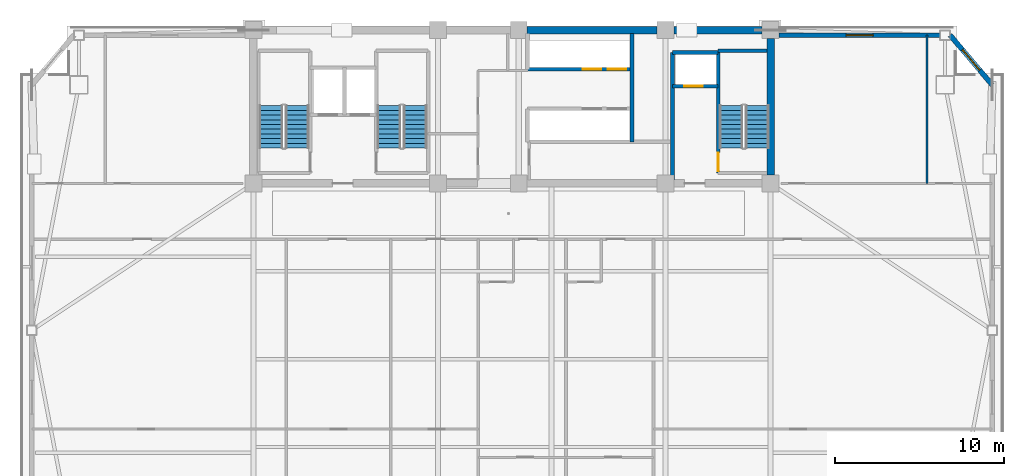
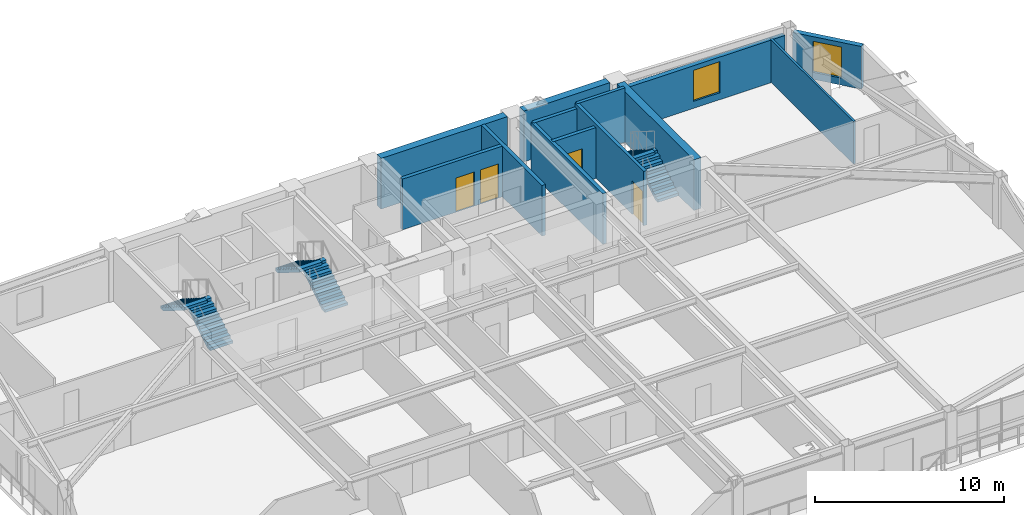
# One storey, part 11 of 17: 13 walls, 6 stair flights, 4 doors, 2 windows, 6 openings, 3 elements without a shape of their own.
"""IFC4 building model written with IfcOpenShell, lengths in metres."""

from ifc_helpers import new_model, si_unit, direction, frame, frame_2d, origin, place, context, subcontext, project, spatial, polyline, rectangle, outline, extrude, source, transform, mapped, material, layer, layer_set, type_object, element, fill, aggregate, save


model = new_model("IFC4")

# Units and contexts
model_context = context("Model", 3, precision=1e-05, world=origin(), true_north=direction((0.0, 1.0)))
body_context = subcontext(model_context, "Body", "Model", "MODEL_VIEW")
ifc_project = project(units=[si_unit("LENGTHUNIT", "METRE"), si_unit("AREAUNIT", "SQUARE_METRE"), si_unit("VOLUMEUNIT", "CUBIC_METRE"), si_unit("PLANEANGLEUNIT", "RADIAN"), si_unit("MASSUNIT", "GRAM", prefix="KILO")], contexts=[model_context])

# Site, building, storey
site_placement = place(None, origin())
site = spatial("IfcSite", under=ifc_project, at=site_placement, CompositionType="ELEMENT")
building_placement = place(site_placement, origin())
building = spatial("IfcBuilding", under=site, at=building_placement, Name="Giltprow Tower", CompositionType="ELEMENT")
storey_placement = place(building_placement, frame((0.0, 0.0, 202.699951171875)))
storey = spatial("IfcBuildingStorey", under=building, at=storey_placement, Name="L51", CompositionType="ELEMENT", Elevation=202.699951171875)

# Wall, opening, window
ifc_material_1 = material(Name="Precast concrete C40", Category="concrete")
ifc_layer_1 = layer(ifc_material_1, 0.300048828125, Name="Precast concrete C40")
ifc_layer_set_1 = layer_set([ifc_layer_1], Name="Precast concrete C40")
wall_type_1 = type_object("IfcWallType", Name="EW-NOTCH-CHAMFER-300", PredefinedType="SOLIDWALL", material=ifc_layer_set_1)
wall_1_placement = place(storey_placement, frame((63.697998046875, 43.300048828125, 0.0), z_axis=(0.0, 0.0, 1.0), x_axis=(-0.646527923623, 0.762890322377, 0.0)))
wall_1 = element("IfcWall", 1, at=wall_1_placement, inside=storey, type_object=wall_type_1, Name="L51 Corner Notch Wall NE", PredefinedType="SOLIDWALL", context=body_context, shape_type="SweptSolid", body=[
    extrude(rectangle(XDim=3.86669921875, YDim=0.300048828125, at=frame_2d((1.933349609375, 0.0))), origin(), (0.0, 0.0, 1.0), 2.75),
])
opening_1_placement = place(wall_1_placement, frame((1.133056640625, 0.0, 0.449951171875)))
opening_1 = element("IfcOpeningElement", 2, at=opening_1_placement, cuts=wall_1, Name="Opening WN17", PredefinedType="OPENING", context=body_context, shape_type="SweptSolid", body=[
    extrude(rectangle(XDim=1.60009765625, YDim=2.0, at=frame_2d((0.800048828125, 1.0))), frame((0.0, 0.159912109375, 0.0), z_axis=(0.0, -1.0, 0.0), x_axis=(1.0, 0.0, 0.0)), (0.0, 0.0, 1.0), 0.320068359375),
])
ifc_material_2 = material(Name="Insulated glass", Category="glass")
window_type = type_object("IfcWindowType", Name="WN-COR-1600x2000", PartitioningType="SINGLE_PANEL", PredefinedType="WINDOW", material=ifc_material_2)
shared_shape_1 = source(origin(), body_context, "Body", "SweptSolid", [
    extrude(rectangle(XDim=1.60009765625, YDim=2.0, at=frame_2d((0.800048828125, 1.0))), frame((0.0, 0.030029296875, 0.0), z_axis=(0.0, -1.0, 0.0), x_axis=(1.0, 0.0, 0.0)), (0.0, 0.0, 1.0), 0.06005859375),
])
window_1_placement = place(opening_1_placement, origin())
window_1 = element("IfcWindow", 3, at=window_1_placement, inside=storey, type_object=window_type, Name="L51 Corner Notch Window NE", OverallHeight=2.0, OverallWidth=1.60009765625, PartitioningType="SINGLE_PANEL", PredefinedType="WINDOW", context=body_context, shape_type="MappedRepresentation", body=[
    mapped(shared_shape_1, transform((0.0, 0.0, 0.0), x_axis=(1.0, 0.0, 0.0), y_axis=(0.0, 1.0, 0.0), z_axis=(0.0, 0.0, 1.0), scale=1.0)),
])
fill(opening_1, window_1)

ifc_layer_2 = layer(ifc_material_1, 0.280029296875, Name="Precast concrete C40")
ifc_layer_set_2 = layer_set([ifc_layer_2], Name="Precast concrete C40")
wall_type_2 = type_object("IfcWallType", Name="EW-TOW-BRONZE-280", PredefinedType="SOLIDWALL", material=ifc_layer_set_2)
wall_2_placement = place(storey_placement, frame((51.050048828125, 46.25, 0.0), z_axis=(0.0, 0.0, 1.0), x_axis=(1.0, 0.0, 0.0)))
wall_2 = element("IfcWall", 4, at=wall_2_placement, inside=storey, type_object=wall_type_2, Name="L51 North-East Wing Wall", PredefinedType="SOLIDWALL", context=body_context, shape_type="SweptSolid", body=[
    extrude(rectangle(XDim=9.5478515625, YDim=0.280029296875, at=frame_2d((4.77392578125, 0.0))), origin(), (0.0, 0.0, 1.0), 2.75),
])
opening_2_placement = place(wall_2_placement, frame((3.97412109375, 0.0, 0.449951171875)))
opening_2 = element("IfcOpeningElement", 5, at=opening_2_placement, cuts=wall_2, Name="Opening WN17", PredefinedType="OPENING", context=body_context, shape_type="SweptSolid", body=[
    extrude(rectangle(XDim=1.60009765625, YDim=2.0, at=frame_2d((0.800048828125, 1.0))), frame((0.0, 0.14990234375, 0.0), z_axis=(0.0, -1.0, 0.0), x_axis=(1.0, 0.0, 0.0)), (0.0, 0.0, 1.0), 0.300048828125),
])
window_2_placement = place(opening_2_placement, origin())
window_2 = element("IfcWindow", 6, at=window_2_placement, inside=storey, type_object=window_type, Name="L51 North-East Window", OverallHeight=2.0, OverallWidth=1.60009765625, PartitioningType="SINGLE_PANEL", PredefinedType="WINDOW", context=body_context, shape_type="MappedRepresentation", body=[
    mapped(shared_shape_1, transform((0.0, 0.0, 0.0), x_axis=(1.0, 0.0, 0.0), y_axis=(0.0, 1.0, 0.0), z_axis=(0.0, 0.0, 1.0), scale=1.0)),
])
fill(opening_2, window_2)

# Wall, opening, door
ifc_material_3 = material(Name="Concrete C40", Category="concrete")
ifc_layer_3 = layer(ifc_material_3, 0.219970703125, Name="Concrete C40")
ifc_layer_set_3 = layer_set([ifc_layer_3], Name="Concrete C40")
wall_type_3 = type_object("IfcWallType", Name="IW-SHAFT-220", PredefinedType="SOLIDWALL", material=ifc_layer_set_3)
wall_3_placement = place(storey_placement, frame((44.719970703125, 43.219970703125, 0.0), z_axis=(0.0, 0.0, 1.0), x_axis=(1.0, 0.0, 0.0)))
wall_3 = element("IfcWall", 7, at=wall_3_placement, inside=storey, type_object=wall_type_3, Name="L51 FFL2 Front Shaft Wall", PredefinedType="SOLIDWALL", context=body_context, shape_type="SweptSolid", body=[
    extrude(rectangle(XDim=2.719970703125, YDim=0.219970703125, at=frame_2d((1.35986328125, 0.0))), origin(), (0.0, 0.0, 1.0), 3.27001953125),
])
opening_3_placement = place(wall_3_placement, frame((0.699951171875, 0.0, 0.0)))
opening_3 = element("IfcOpeningElement", 8, at=opening_3_placement, cuts=wall_3, Name="Opening LD-11", PredefinedType="OPENING", context=body_context, shape_type="SweptSolid", body=[
    extrude(rectangle(XDim=1.10009765625, YDim=2.199951171875, at=frame_2d((0.550048828125, 1.10009765625))), frame((0.0, 0.119873046875, 0.0), z_axis=(0.0, -1.0, 0.0), x_axis=(1.0, 0.0, 0.0)), (0.0, 0.0, 1.0), 0.239990234375),
])
ifc_material_4 = material(Name="Stainless steel", Category="steel")
door_type_1 = type_object("IfcDoorType", Name="DR-LIFT-LD1100", OperationType="SLIDING_TO_LEFT", PredefinedType="DOOR", material=ifc_material_4)
shared_shape_2 = source(origin(), body_context, "Body", "SweptSolid", [
    extrude(rectangle(XDim=1.10009765625, YDim=2.199951171875, at=frame_2d((0.550048828125, 1.10009765625))), frame((0.0, 0.02490234375, 0.0), z_axis=(0.0, -1.0, 0.0), x_axis=(1.0, 0.0, 0.0)), (0.0, 0.0, 1.0), 0.050048828125),
])
door_1_placement = place(opening_3_placement, origin())
door_1 = element("IfcDoor", 9, at=door_1_placement, inside=storey, type_object=door_type_1, Name="L51 FFL2 Landing Door", OperationType="SLIDING_TO_LEFT", OverallHeight=2.199951171875, OverallWidth=1.10009765625, PredefinedType="DOOR", context=body_context, shape_type="MappedRepresentation", body=[
    mapped(shared_shape_2, transform((0.0, 0.0, 0.0), x_axis=(1.0, 0.0, 0.0), y_axis=(0.0, 1.0, 0.0), z_axis=(0.0, 0.0, 1.0), scale=1.0)),
])
fill(opening_3, door_1)

# Walls
wall_4_placement = place(storey_placement, frame((44.719970703125, 45.219970703125, 0.0), z_axis=(0.0, 0.0, 1.0), x_axis=(1.0, 0.0, 0.0)))
element("IfcWall", 10, at=wall_4_placement, inside=storey, type_object=wall_type_3, Name="L51 FFL2 Back Shaft Wall", PredefinedType="SOLIDWALL", context=body_context, shape_type="SweptSolid", body=[
    extrude(rectangle(XDim=2.719970703125, YDim=0.219970703125, at=frame_2d((1.35986328125, 0.0))), origin(), (0.0, 0.0, 1.0), 3.27001953125),
])
wall_5_placement = place(storey_placement, frame((44.719970703125, 37.655029296875, 0.0), z_axis=(0.0, 0.0, 1.0), x_axis=(0.0, 1.0, 0.0)))
element("IfcWall", 11, at=wall_5_placement, inside=storey, type_object=wall_type_3, Name="L51 East Firefighting Lobby West Wall", PredefinedType="SOLIDWALL", context=body_context, shape_type="SweptSolid", body=[
    extrude(rectangle(XDim=7.56494140625, YDim=0.219970703125, at=frame_2d((3.782470703125, 0.0))), origin(), (0.0, 0.0, 1.0), 3.27001953125),
])

# Wall, openings, doors
wall_6_placement = place(storey_placement, frame((36.1201171875, 44.219970703125, 0.0), z_axis=(0.0, 0.0, 1.0), x_axis=(1.0, 0.0, 0.0)))
wall_6 = element("IfcWall", 12, at=wall_6_placement, inside=storey, type_object=wall_type_3, Name="L51 Mid-Rise Lift Shaft Front Wall N", PredefinedType="SOLIDWALL", context=body_context, shape_type="SweptSolid", body=[
    extrude(rectangle(XDim=6.199951171875, YDim=0.219970703125, at=frame_2d((3.10009765625, 0.0))), origin(), (0.0, 0.0, 1.0), 3.27001953125),
])
opening_4_placement = place(wall_6_placement, frame((3.280029296875, 0.0, 0.0)))
opening_4 = element("IfcOpeningElement", 13, at=opening_4_placement, cuts=wall_6, Name="Opening LD-11", PredefinedType="OPENING", context=body_context, shape_type="SweptSolid", body=[
    extrude(rectangle(XDim=1.10009765625, YDim=2.199951171875, at=frame_2d((0.550048828125, 1.10009765625))), frame((0.0, 0.119873046875, 0.0), z_axis=(0.0, -1.0, 0.0), x_axis=(1.0, 0.0, 0.0)), (0.0, 0.0, 1.0), 0.239990234375),
])
opening_5_placement = place(wall_6_placement, frame((4.77001953125, 0.0, 0.0)))
opening_5 = element("IfcOpeningElement", 14, at=opening_5_placement, cuts=wall_6, Name="Opening LD-11", PredefinedType="OPENING", context=body_context, shape_type="SweptSolid", body=[
    extrude(rectangle(XDim=1.10009765625, YDim=2.199951171875, at=frame_2d((0.550048828125, 1.10009765625))), frame((0.0, 0.119873046875, 0.0), z_axis=(0.0, -1.0, 0.0), x_axis=(1.0, 0.0, 0.0)), (0.0, 0.0, 1.0), 0.239990234375),
])
door_2_placement = place(opening_4_placement, origin())
door_2 = element("IfcDoor", 15, at=door_2_placement, inside=storey, type_object=door_type_1, Name="L51 PL-M1 Landing Door", OperationType="SLIDING_TO_LEFT", OverallHeight=2.199951171875, OverallWidth=1.10009765625, PredefinedType="DOOR", context=body_context, shape_type="MappedRepresentation", body=[
    mapped(shared_shape_2, transform((0.0, 0.0, 0.0), x_axis=(1.0, 0.0, 0.0), y_axis=(0.0, 1.0, 0.0), z_axis=(0.0, 0.0, 1.0), scale=1.0)),
])
fill(opening_4, door_2)
door_3_placement = place(opening_5_placement, origin())
door_3 = element("IfcDoor", 16, at=door_3_placement, inside=storey, type_object=door_type_1, Name="L51 PL-M2 Landing Door", OperationType="SLIDING_TO_LEFT", OverallHeight=2.199951171875, OverallWidth=1.10009765625, PredefinedType="DOOR", context=body_context, shape_type="MappedRepresentation", body=[
    mapped(shared_shape_2, transform((0.0, 0.0, 0.0), x_axis=(1.0, 0.0, 0.0), y_axis=(0.0, 1.0, 0.0), z_axis=(0.0, 0.0, 1.0), scale=1.0)),
])
fill(opening_5, door_3)

# Wall
wall_7_placement = place(storey_placement, frame((42.320068359375, 39.919921875, 0.0), z_axis=(0.0, 0.0, 1.0), x_axis=(0.0, 1.0, 0.0)))
element("IfcWall", 17, at=wall_7_placement, inside=storey, type_object=wall_type_3, Name="L51 Mid-Rise Lift Bank East Closure", PredefinedType="SOLIDWALL", context=body_context, shape_type="SweptSolid", body=[
    extrude(rectangle(XDim=6.425048828125, YDim=0.219970703125, at=frame_2d((3.21240234375, 0.0))), origin(), (0.0, 0.0, 1.0), 3.27001953125),
])

# Wall, opening, door
ifc_layer_4 = layer(ifc_material_3, 0.199951171875, Name="Concrete C40")
ifc_layer_set_4 = layer_set([ifc_layer_4], Name="Concrete C40")
wall_type_4 = type_object("IfcWallType", Name="IW-STAIR-200", PredefinedType="SOLIDWALL", material=ifc_layer_set_4)
wall_8_placement = place(storey_placement, frame((47.43994140625, 38.070068359375, 0.0), z_axis=(0.0, 0.0, 1.0), x_axis=(0.0, 1.0, 0.0)))
wall_8 = element("IfcWall", 18, at=wall_8_placement, inside=storey, type_object=wall_type_4, Name="L51 Stair ST-3 West Bearing Wall", PredefinedType="SOLIDWALL", context=body_context, shape_type="SweptSolid", body=[
    extrude(rectangle(XDim=7.25, YDim=0.199951171875, at=frame_2d((3.625, 0.0))), origin(), (0.0, 0.0, 1.0), 3.5),
])
opening_6_placement = place(wall_8_placement, frame((0.110107421875, 0.0, 0.0)))
opening_6 = element("IfcOpeningElement", 19, at=opening_6_placement, cuts=wall_8, Name="Opening ID33", PredefinedType="OPENING", context=body_context, shape_type="SweptSolid", body=[
    extrude(rectangle(XDim=1.10009765625, YDim=2.14990234375, at=frame_2d((0.550048828125, 1.074951171875))), frame((0.0, 0.10986328125, 0.0), z_axis=(0.0, -1.0, 0.0), x_axis=(1.0, 0.0, 0.0)), (0.0, 0.0, 1.0), 0.219970703125),
])
ifc_material_5 = material(Name="Steel fire leaf", Category="steel")
door_type_2 = type_object("IfcDoorType", Name="DR-STAIR-1100", OperationType="SINGLE_SWING_LEFT", PredefinedType="DOOR", material=ifc_material_5)
shared_shape_3 = source(origin(), body_context, "Body", "SweptSolid", [
    extrude(rectangle(XDim=1.10009765625, YDim=2.14990234375, at=frame_2d((0.550048828125, 1.074951171875))), frame((0.0, 0.02490234375, 0.0), z_axis=(0.0, -1.0, 0.0), x_axis=(1.0, 0.0, 0.0)), (0.0, 0.0, 1.0), 0.050048828125),
])
door_4_placement = place(opening_6_placement, origin())
door_4 = element("IfcDoor", 20, at=door_4_placement, inside=storey, type_object=door_type_2, Name="L51 Stair ST-3 Fire Door", OperationType="SINGLE_SWING_LEFT", OverallHeight=2.14990234375, OverallWidth=1.10009765625, PredefinedType="DOOR", context=body_context, shape_type="MappedRepresentation", body=[
    mapped(shared_shape_3, transform((0.0, 0.0, 0.0), x_axis=(1.0, 0.0, 0.0), y_axis=(0.0, 1.0, 0.0), z_axis=(0.0, 0.0, 1.0), scale=1.0)),
])
fill(opening_6, door_4)

# Walls
wall_9_placement = place(storey_placement, frame((47.43994140625, 45.320068359375, 0.0), z_axis=(0.0, 0.0, 1.0), x_axis=(1.0, 0.0, 0.0)))
element("IfcWall", 21, at=wall_9_placement, inside=storey, type_object=wall_type_4, Name="L51 Stair ST-3 North Bearing Wall", PredefinedType="SOLIDWALL", context=body_context, shape_type="SweptSolid", body=[
    extrude(rectangle(XDim=2.905029296875, YDim=0.199951171875, at=frame_2d((1.45263671875, 0.0))), origin(), (0.0, 0.0, 1.0), 3.5),
])
ifc_material_6 = material(Name="Concrete C30", Category="concrete")
ifc_layer_5 = layer(ifc_material_6, 0.1298828125, Name="Concrete C30")
ifc_layer_set_5 = layer_set([ifc_layer_5], Name="Concrete C30")
wall_type_5 = type_object("IfcWallType", Name="IW-WET-130", PredefinedType="PARTITIONING", material=ifc_layer_set_5)
wall_10_placement = place(storey_placement, frame((59.823974609375, 37.449951171875, 0.0), z_axis=(0.0, 0.0, 1.0), x_axis=(0.0, 1.0, 0.0)))
element("IfcWall", 22, at=wall_10_placement, inside=storey, type_object=wall_type_5, Name="L51 NE Wing Divider", PredefinedType="PARTITIONING", context=body_context, shape_type="SweptSolid", body=[
    extrude(rectangle(XDim=8.800048828125, YDim=0.1298828125, at=frame_2d((4.39990234375, 0.0))), origin(), (0.0, 0.0, 1.0), 2.755126953125),
])
ifc_material_7 = material(Name="Concrete C50", Category="concrete")
ifc_layer_6 = layer(ifc_material_7, 0.449951171875, Name="Concrete C50")
ifc_layer_set_6 = layer_set([ifc_layer_6], Name="Concrete C50")
wall_type_6 = type_object("IfcWallType", Name="SW-EXT-450-C50", PredefinedType="SHEAR", material=ifc_layer_set_6)
wall_11_placement = place(storey_placement, frame((36.10009765625, 46.550048828125, 0.0), z_axis=(0.0, 0.0, 1.0), x_axis=(1.0, 0.0, 0.0)))
element("IfcWall", 23, at=wall_11_placement, inside=storey, type_object=wall_type_6, Name="L51 North Rear Core Shear Wall 3", PredefinedType="SHEAR", context=body_context, shape_type="SweptSolid", body=[
    extrude(rectangle(XDim=7.699951171875, YDim=0.449951171875, at=frame_2d((3.85009765625, 0.0))), origin(), (0.0, 0.0, 1.0), 3.27001953125),
])
wall_12_placement = place(storey_placement, frame((44.800048828125, 46.550048828125, 0.0), z_axis=(0.0, 0.0, 1.0), x_axis=(1.0, 0.0, 0.0)))
element("IfcWall", 24, at=wall_12_placement, inside=storey, type_object=wall_type_6, Name="L51 North Rear Core Shear Wall 4", PredefinedType="SHEAR", context=body_context, shape_type="SweptSolid", body=[
    extrude(rectangle(XDim=5.25, YDim=0.449951171875, at=frame_2d((2.625, 0.0))), origin(), (0.0, 0.0, 1.0), 3.27001953125),
])
ifc_layer_7 = layer(ifc_material_7, 0.449951171875, Name="Concrete C50")
ifc_layer_set_7 = layer_set([ifc_layer_7], Name="Concrete C50")
wall_type_7 = type_object("IfcWallType", Name="SW-INT-450-C50", PredefinedType="SHEAR", material=ifc_layer_set_7)
wall_13_placement = place(storey_placement, frame((50.550048828125, 37.949951171875, 0.0), z_axis=(0.0, 0.0, 1.0), x_axis=(0.0, 1.0, 0.0)))
element("IfcWall", 25, at=wall_13_placement, inside=storey, type_object=wall_type_7, Name="L51 E Rear Core Shear Wall", PredefinedType="SHEAR", context=body_context, shape_type="SweptSolid", body=[
    extrude(rectangle(XDim=8.10009765625, YDim=0.449951171875, at=frame_2d((4.050048828125, 0.0))), origin(), (0.0, 0.0, 1.0), 3.27001953125),
])

# Stair, stair flights
stair_type_1 = type_object("IfcStairType", Name="STR-ST-1", PredefinedType="HALF_TURN_STAIR", material=ifc_material_3)
stair_1_placement = place(storey_placement, origin())
stair_1 = element("IfcStair", 26, at=stair_1_placement, inside=storey, type_object=stair_type_1, Name="L51 Core Exit Stair ST-1", PredefinedType="HALF_TURN_STAIR")
stair_flight_type_1 = type_object("IfcStairFlightType", Name="SFL-ST-1", PredefinedType="STRAIGHT", material=ifc_material_3)
stair_flight_1_placement = place(storey_placement, frame((22.4599609375, 39.550048828125, 0.0), z_axis=(0.0, 0.0, 1.0), x_axis=(0.0, 1.0, 0.0)))
stair_flight_1 = element("IfcStairFlight", 27, at=stair_flight_1_placement, type_object=stair_flight_type_1, Name="ST-1 flight 1", NumberOfRisers=10, NumberOfTreads=9, PredefinedType="STRAIGHT", RiserHeight=0.175, TreadLength=0.28, context=body_context, shape_type="SweptSolid", body=[
    extrude(outline(polyline([(0.0, 0.0), (0.0, 0.175048828125), (0.280029296875, 0.175048828125), (0.280029296875, 0.35009765625), (0.56005859375, 0.35009765625), (0.56005859375, 0.52490234375), (0.840087890625, 0.52490234375), (0.840087890625, 0.699951171875), (1.1201171875, 0.699951171875), (1.1201171875, 0.875), (1.39990234375, 0.875), (1.39990234375, 1.050048828125), (1.679931640625, 1.050048828125), (1.679931640625, 1.22509765625), (1.9599609375, 1.22509765625), (1.9599609375, 1.39990234375), (2.239990234375, 1.39990234375), (2.239990234375, 1.574951171875), (2.52001953125, 1.574951171875), (2.52001953125, 1.75), (2.52001953125, 1.398193359375), (0.28271484375, 0.0), (0.0, 0.0)])), frame((0.0, 0.699951171875, 0.0), z_axis=(0.0, -1.0, 0.0), x_axis=(1.0, 0.0, 0.0)), (0.0, 0.0, 1.0), 1.39990234375),
])
stair_flight_2_placement = place(storey_placement, frame((20.89990234375, 42.070068359375, 1.75), z_axis=(0.0, 0.0, 1.0), x_axis=(0.0, -1.0, 0.0)))
stair_flight_2 = element("IfcStairFlight", 28, at=stair_flight_2_placement, type_object=stair_flight_type_1, Name="ST-1 flight 2", NumberOfRisers=10, NumberOfTreads=9, PredefinedType="STRAIGHT", RiserHeight=0.175, TreadLength=0.28, context=body_context, shape_type="SweptSolid", body=[
    extrude(outline(polyline([(0.0, 0.0), (0.0, 0.175048828125), (0.280029296875, 0.175048828125), (0.280029296875, 0.35009765625), (0.56005859375, 0.35009765625), (0.56005859375, 0.52490234375), (0.840087890625, 0.52490234375), (0.840087890625, 0.699951171875), (1.1201171875, 0.699951171875), (1.1201171875, 0.875), (1.39990234375, 0.875), (1.39990234375, 1.050048828125), (1.679931640625, 1.050048828125), (1.679931640625, 1.22509765625), (1.9599609375, 1.22509765625), (1.9599609375, 1.39990234375), (2.239990234375, 1.39990234375), (2.239990234375, 1.574951171875), (2.52001953125, 1.574951171875), (2.52001953125, 1.75), (2.52001953125, 1.398193359375), (0.28271484375, 0.0), (0.0, 0.0)])), frame((0.0, 0.699951171875, 0.0), z_axis=(0.0, -1.0, 0.0), x_axis=(1.0, 0.0, 0.0)), (0.0, 0.0, 1.0), 1.39990234375),
])
aggregate(stair_1, [stair_flight_1, stair_flight_2])

stair_type_2 = type_object("IfcStairType", Name="STR-ST-2", PredefinedType="HALF_TURN_STAIR", material=ifc_material_3)
stair_2_placement = place(storey_placement, origin())
stair_2 = element("IfcStair", 29, at=stair_2_placement, inside=storey, type_object=stair_type_2, Name="L51 Core Exit Stair ST-2", PredefinedType="HALF_TURN_STAIR")
stair_flight_type_2 = type_object("IfcStairFlightType", Name="SFL-ST-2", PredefinedType="STRAIGHT", material=ifc_material_3)
stair_flight_3_placement = place(storey_placement, frame((29.4599609375, 39.550048828125, 0.0), z_axis=(0.0, 0.0, 1.0), x_axis=(0.0, 1.0, 0.0)))
stair_flight_3 = element("IfcStairFlight", 30, at=stair_flight_3_placement, type_object=stair_flight_type_2, Name="ST-2 flight 1", NumberOfRisers=10, NumberOfTreads=9, PredefinedType="STRAIGHT", RiserHeight=0.175, TreadLength=0.28, context=body_context, shape_type="SweptSolid", body=[
    extrude(outline(polyline([(0.0, 0.0), (0.0, 0.175048828125), (0.280029296875, 0.175048828125), (0.280029296875, 0.35009765625), (0.56005859375, 0.35009765625), (0.56005859375, 0.52490234375), (0.840087890625, 0.52490234375), (0.840087890625, 0.699951171875), (1.1201171875, 0.699951171875), (1.1201171875, 0.875), (1.39990234375, 0.875), (1.39990234375, 1.050048828125), (1.679931640625, 1.050048828125), (1.679931640625, 1.22509765625), (1.9599609375, 1.22509765625), (1.9599609375, 1.39990234375), (2.239990234375, 1.39990234375), (2.239990234375, 1.574951171875), (2.52001953125, 1.574951171875), (2.52001953125, 1.75), (2.52001953125, 1.398193359375), (0.28271484375, 0.0), (0.0, 0.0)])), frame((0.0, 0.699951171875, 0.0), z_axis=(0.0, -1.0, 0.0), x_axis=(1.0, 0.0, 0.0)), (0.0, 0.0, 1.0), 1.39990234375),
])
stair_flight_4_placement = place(storey_placement, frame((27.89990234375, 42.070068359375, 1.75), z_axis=(0.0, 0.0, 1.0), x_axis=(0.0, -1.0, 0.0)))
stair_flight_4 = element("IfcStairFlight", 31, at=stair_flight_4_placement, type_object=stair_flight_type_2, Name="ST-2 flight 2", NumberOfRisers=10, NumberOfTreads=9, PredefinedType="STRAIGHT", RiserHeight=0.175, TreadLength=0.28, context=body_context, shape_type="SweptSolid", body=[
    extrude(outline(polyline([(0.0, 0.0), (0.0, 0.175048828125), (0.280029296875, 0.175048828125), (0.280029296875, 0.35009765625), (0.56005859375, 0.35009765625), (0.56005859375, 0.52490234375), (0.840087890625, 0.52490234375), (0.840087890625, 0.699951171875), (1.1201171875, 0.699951171875), (1.1201171875, 0.875), (1.39990234375, 0.875), (1.39990234375, 1.050048828125), (1.679931640625, 1.050048828125), (1.679931640625, 1.22509765625), (1.9599609375, 1.22509765625), (1.9599609375, 1.39990234375), (2.239990234375, 1.39990234375), (2.239990234375, 1.574951171875), (2.52001953125, 1.574951171875), (2.52001953125, 1.75), (2.52001953125, 1.398193359375), (0.28271484375, 0.0), (0.0, 0.0)])), frame((0.0, 0.699951171875, 0.0), z_axis=(0.0, -1.0, 0.0), x_axis=(1.0, 0.0, 0.0)), (0.0, 0.0, 1.0), 1.39990234375),
])
aggregate(stair_2, [stair_flight_3, stair_flight_4])

stair_type_3 = type_object("IfcStairType", Name="STR-ST-3", PredefinedType="HALF_TURN_STAIR", material=ifc_material_3)
stair_3_placement = place(storey_placement, origin())
stair_3 = element("IfcStair", 32, at=stair_3_placement, inside=storey, type_object=stair_type_3, Name="L51 Core Exit Stair ST-3", PredefinedType="HALF_TURN_STAIR")
stair_flight_type_3 = type_object("IfcStairFlightType", Name="SFL-ST-3", PredefinedType="STRAIGHT", material=ifc_material_3)
stair_flight_5_placement = place(storey_placement, frame((49.760009765625, 39.550048828125, 0.0), z_axis=(0.0, 0.0, 1.0), x_axis=(0.0, 1.0, 0.0)))
stair_flight_5 = element("IfcStairFlight", 33, at=stair_flight_5_placement, type_object=stair_flight_type_3, Name="ST-3 flight 1", NumberOfRisers=10, NumberOfTreads=9, PredefinedType="STRAIGHT", RiserHeight=0.175, TreadLength=0.28, context=body_context, shape_type="SweptSolid", body=[
    extrude(outline(polyline([(0.0, 0.0), (0.0, 0.175048828125), (0.280029296875, 0.175048828125), (0.280029296875, 0.35009765625), (0.56005859375, 0.35009765625), (0.56005859375, 0.52490234375), (0.840087890625, 0.52490234375), (0.840087890625, 0.699951171875), (1.1201171875, 0.699951171875), (1.1201171875, 0.875), (1.39990234375, 0.875), (1.39990234375, 1.050048828125), (1.679931640625, 1.050048828125), (1.679931640625, 1.22509765625), (1.9599609375, 1.22509765625), (1.9599609375, 1.39990234375), (2.239990234375, 1.39990234375), (2.239990234375, 1.574951171875), (2.52001953125, 1.574951171875), (2.52001953125, 1.75), (2.52001953125, 1.398193359375), (0.28271484375, 0.0), (0.0, 0.0)])), frame((0.0, 0.699951171875, 0.0), z_axis=(0.0, -1.0, 0.0), x_axis=(1.0, 0.0, 0.0)), (0.0, 0.0, 1.0), 1.39990234375),
])
stair_flight_6_placement = place(storey_placement, frame((48.199951171875, 42.070068359375, 1.75), z_axis=(0.0, 0.0, 1.0), x_axis=(0.0, -1.0, 0.0)))
stair_flight_6 = element("IfcStairFlight", 34, at=stair_flight_6_placement, type_object=stair_flight_type_3, Name="ST-3 flight 2", NumberOfRisers=10, NumberOfTreads=9, PredefinedType="STRAIGHT", RiserHeight=0.175, TreadLength=0.28, context=body_context, shape_type="SweptSolid", body=[
    extrude(outline(polyline([(0.0, 0.0), (0.0, 0.175048828125), (0.280029296875, 0.175048828125), (0.280029296875, 0.35009765625), (0.56005859375, 0.35009765625), (0.56005859375, 0.52490234375), (0.840087890625, 0.52490234375), (0.840087890625, 0.699951171875), (1.1201171875, 0.699951171875), (1.1201171875, 0.875), (1.39990234375, 0.875), (1.39990234375, 1.050048828125), (1.679931640625, 1.050048828125), (1.679931640625, 1.22509765625), (1.9599609375, 1.22509765625), (1.9599609375, 1.39990234375), (2.239990234375, 1.39990234375), (2.239990234375, 1.574951171875), (2.52001953125, 1.574951171875), (2.52001953125, 1.75), (2.52001953125, 1.398193359375), (0.28271484375, 0.0), (0.0, 0.0)])), frame((0.0, 0.699951171875, 0.0), z_axis=(0.0, -1.0, 0.0), x_axis=(1.0, 0.0, 0.0)), (0.0, 0.0, 1.0), 1.39990234375),
])
aggregate(stair_3, [stair_flight_5, stair_flight_6])

save(model, "model.ifc")
